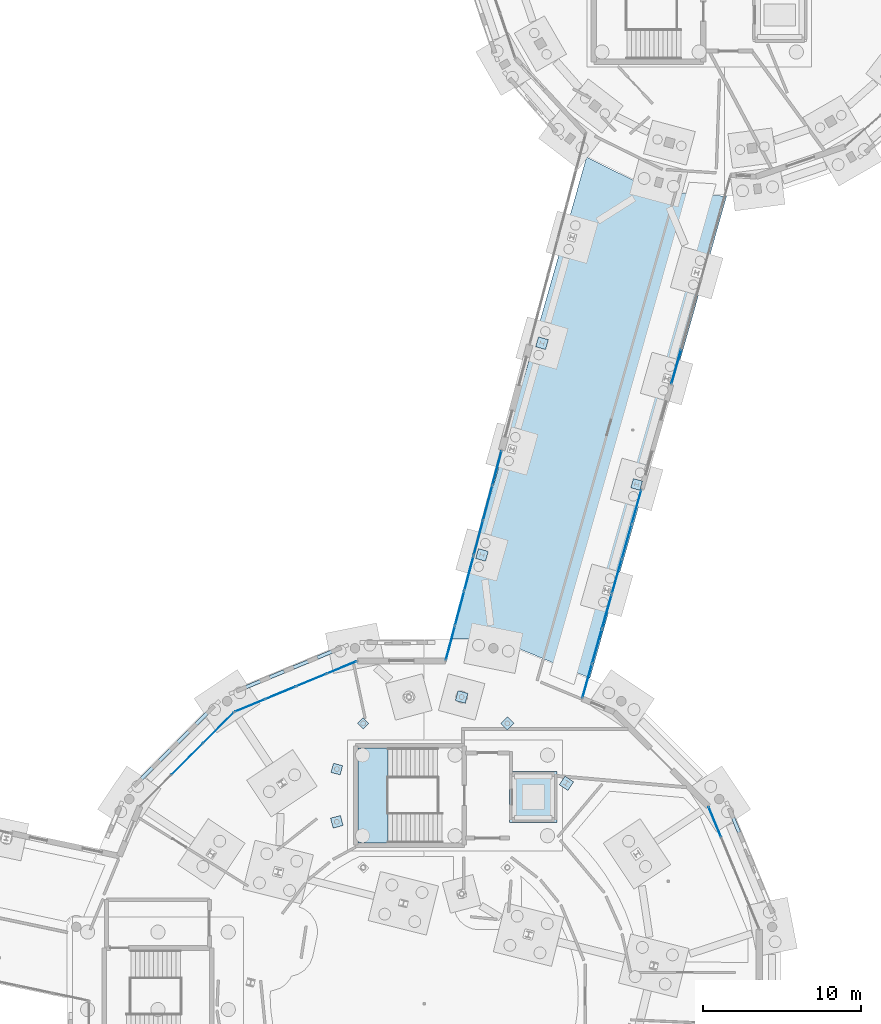
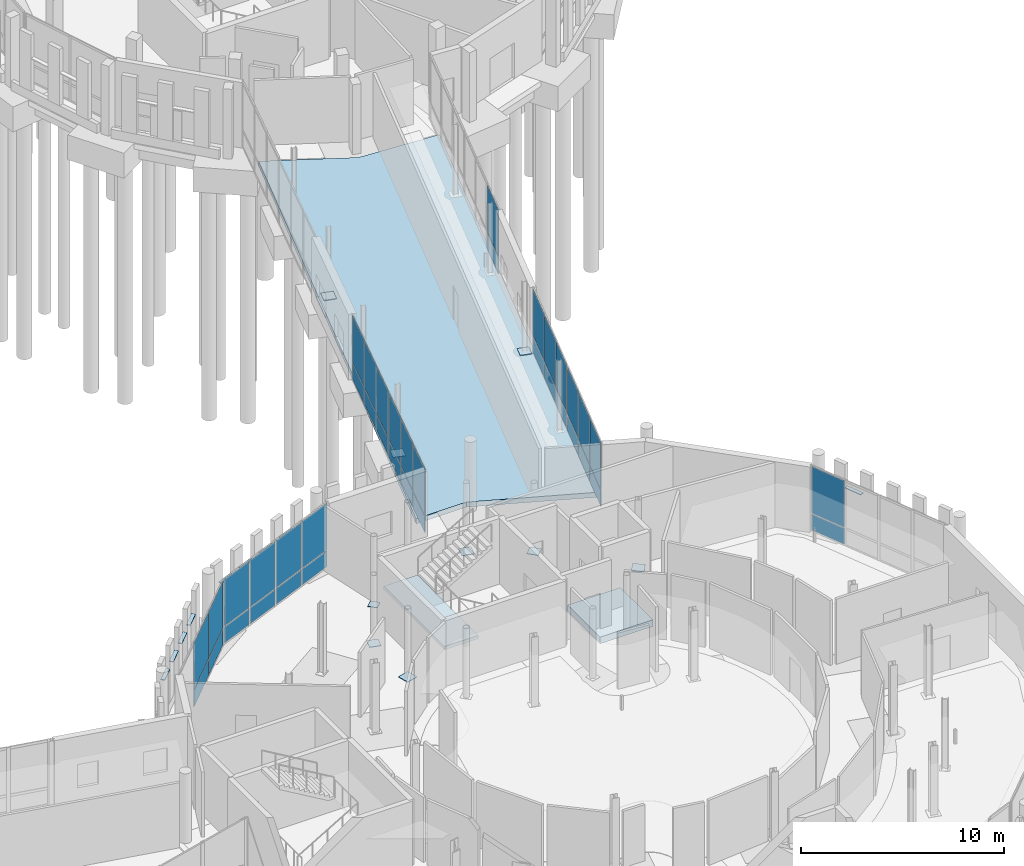
# One storey, part 72 of 113: 58 plates, 3 slabs, 9 elements without a shape of their own.
"""IFC4 building model written with IfcOpenShell, lengths in metres."""

from ifc_helpers import new_model, si_unit, direction, frame, origin, origin_2d, place, context, subcontext, project, spatial, polyline, rectangle, outline, extrude, material, layer, layer_set, type_object, element, aggregate, save


model = new_model("IFC4")

# Units and contexts
model_context = context("Model", 3, precision=1e-05, world=origin(), true_north=direction((0.0, 1.0)))
body_context = subcontext(model_context, "Body", "Model", "MODEL_VIEW")
ifc_project = project(units=[si_unit("LENGTHUNIT", "METRE"), si_unit("AREAUNIT", "SQUARE_METRE"), si_unit("VOLUMEUNIT", "CUBIC_METRE"), si_unit("PLANEANGLEUNIT", "RADIAN"), si_unit("MASSUNIT", "GRAM", prefix="KILO")], contexts=[model_context])

# Site, building, storey
site_placement = place(None, origin())
site = spatial("IfcSite", under=ifc_project, at=site_placement, CompositionType="ELEMENT")
building_placement = place(site_placement, origin())
building = spatial("IfcBuilding", under=site, at=building_placement, Name="Wrenclough Park School", CompositionType="ELEMENT")
storey_placement = place(building_placement, origin())
storey = spatial("IfcBuildingStorey", under=building, at=storey_placement, Name="L00", CompositionType="ELEMENT", Elevation=0.0)

# Curtain wall, plates
ifc_material_1 = material(Name="Thermally broken aluminium and low-e glass curtain wall", Category="aluminium")
curtain_wall_type_1 = type_object("IfcCurtainWallType", Name="ENV-CW-13", PredefinedType="USERDEFINED", material=ifc_material_1)
curtain_wall_1_placement = place(storey_placement, origin())
curtain_wall_1 = element("IfcCurtainWall", 1, at=curtain_wall_1_placement, inside=storey, type_object=curtain_wall_type_1, Name="L00 recessed curtain wall assembly 028", ObjectType="CURTAIN WALL", PredefinedType="USERDEFINED")
ifc_material_2 = material(Name="Double-glazed solar-control low-e glass", Category="glass")
ifc_layer_1 = layer(ifc_material_2, 0.02587890625)
ifc_layer_set_1 = layer_set([ifc_layer_1], Name="Double-glazed solar-control low-e glass")
plate_type_1 = type_object("IfcPlateType", Name="ENV-CWP-GL26", PredefinedType="CURTAIN_PANEL", material=ifc_layer_set_1)
plate_1_placement = place(storey_placement, frame((168.934326171875, 57.45263671875, 0.06494140625), z_axis=(0.0, 0.0, 1.0), x_axis=(-0.272808842354, -0.96206825929, 0.0)))
plate_1 = element("IfcPlate", 2, at=plate_1_placement, type_object=plate_type_1, Name="CW-13 panel 1.1", PredefinedType="CURTAIN_PANEL", context=body_context, shape_type="SweptSolid", body=[
    extrude(rectangle(XDim=2.1962890625, YDim=0.02587890625, at=origin_2d()), origin(), (0.0, 0.0, 1.0), 0.952392578125),
])
plate_2_placement = place(storey_placement, frame((168.934326171875, 57.45263671875, 1.08251953125), z_axis=(0.0, 0.0, 1.0), x_axis=(-0.272808842354, -0.96206825929, 0.0)))
plate_2 = element("IfcPlate", 3, at=plate_2_placement, type_object=plate_type_1, Name="CW-13 panel 1.2", PredefinedType="CURTAIN_PANEL", context=body_context, shape_type="SweptSolid", body=[
    extrude(rectangle(XDim=2.1962890625, YDim=0.02587890625, at=origin_2d()), origin(), (0.0, 0.0, 1.0), 2.79248046875),
])
plate_3_placement = place(storey_placement, frame((168.31298828125, 55.26171875, 0.06494140625), z_axis=(0.0, 0.0, 1.0), x_axis=(-0.272808842354, -0.96206825929, 0.0)))
plate_3 = element("IfcPlate", 4, at=plate_3_placement, type_object=plate_type_1, Name="CW-13 panel 2.1", PredefinedType="CURTAIN_PANEL", context=body_context, shape_type="SweptSolid", body=[
    extrude(rectangle(XDim=2.228759765625, YDim=0.02587890625, at=origin_2d()), origin(), (0.0, 0.0, 1.0), 0.952392578125),
])
plate_4_placement = place(storey_placement, frame((168.31298828125, 55.26171875, 1.08251953125), z_axis=(0.0, 0.0, 1.0), x_axis=(-0.272808842354, -0.96206825929, 0.0)))
plate_4 = element("IfcPlate", 5, at=plate_4_placement, type_object=plate_type_1, Name="CW-13 panel 2.2", PredefinedType="CURTAIN_PANEL", context=body_context, shape_type="SweptSolid", body=[
    extrude(rectangle(XDim=2.228759765625, YDim=0.02587890625, at=origin_2d()), origin(), (0.0, 0.0, 1.0), 2.79248046875),
])
plate_5_placement = place(storey_placement, frame((167.691650390625, 53.070556640625, 0.06494140625), z_axis=(0.0, 0.0, 1.0), x_axis=(-0.272808842354, -0.96206825929, 0.0)))
plate_5 = element("IfcPlate", 6, at=plate_5_placement, type_object=plate_type_1, Name="CW-13 panel 3.1", PredefinedType="CURTAIN_PANEL", context=body_context, shape_type="SweptSolid", body=[
    extrude(rectangle(XDim=2.1962890625, YDim=0.02587890625, at=origin_2d()), origin(), (0.0, 0.0, 1.0), 0.952392578125),
])
plate_6_placement = place(storey_placement, frame((167.691650390625, 53.070556640625, 1.08251953125), z_axis=(0.0, 0.0, 1.0), x_axis=(-0.272808842354, -0.96206825929, 0.0)))
plate_6 = element("IfcPlate", 7, at=plate_6_placement, type_object=plate_type_1, Name="CW-13 panel 3.2", PredefinedType="CURTAIN_PANEL", context=body_context, shape_type="SweptSolid", body=[
    extrude(rectangle(XDim=2.1962890625, YDim=0.02587890625, at=origin_2d()), origin(), (0.0, 0.0, 1.0), 2.79248046875),
])
aggregate(curtain_wall_1, [plate_1, plate_2, plate_3, plate_4, plate_5, plate_6])

curtain_wall_2_placement = place(storey_placement, origin())
curtain_wall_2 = element("IfcCurtainWall", 8, at=curtain_wall_2_placement, inside=storey, type_object=curtain_wall_type_1, Name="L00 recessed curtain wall assembly 060", ObjectType="CURTAIN WALL", PredefinedType="USERDEFINED")
plate_7_placement = place(storey_placement, frame((158.931640625, 55.5107421875, 0.06005859375), z_axis=(0.0, 0.0, 1.0), x_axis=(0.256899612745, 0.966438093709, 0.0)))
plate_7 = element("IfcPlate", 9, at=plate_7_placement, type_object=plate_type_1, Name="CW-13 panel 1.1", PredefinedType="CURTAIN_PANEL", context=body_context, shape_type="SweptSolid", body=[
    extrude(rectangle(XDim=2.207763671875, YDim=0.02587890625, at=origin_2d()), origin(), (0.0, 0.0, 1.0), 0.9599609375),
])
plate_8_placement = place(storey_placement, frame((158.931640625, 55.5107421875, 1.080078125), z_axis=(0.0, 0.0, 1.0), x_axis=(0.256899612745, 0.966438093709, 0.0)))
plate_8 = element("IfcPlate", 10, at=plate_8_placement, type_object=plate_type_1, Name="CW-13 panel 1.2", PredefinedType="CURTAIN_PANEL", context=body_context, shape_type="SweptSolid", body=[
    extrude(rectangle(XDim=2.207763671875, YDim=0.02587890625, at=origin_2d()), origin(), (0.0, 0.0, 1.0), 2.800048828125),
])
plate_9_placement = place(storey_placement, frame((159.51806640625, 57.716796875, 0.06005859375), z_axis=(0.0, 0.0, 1.0), x_axis=(0.256899612745, 0.966438093709, 0.0)))
plate_9 = element("IfcPlate", 11, at=plate_9_placement, type_object=plate_type_1, Name="CW-13 panel 2.1", PredefinedType="CURTAIN_PANEL", context=body_context, shape_type="SweptSolid", body=[
    extrude(rectangle(XDim=2.23779296875, YDim=0.02587890625, at=origin_2d()), origin(), (0.0, 0.0, 1.0), 0.9599609375),
])
plate_10_placement = place(storey_placement, frame((159.51806640625, 57.716796875, 1.080078125), z_axis=(0.0, 0.0, 1.0), x_axis=(0.256899612745, 0.966438093709, 0.0)))
plate_10 = element("IfcPlate", 12, at=plate_10_placement, type_object=plate_type_1, Name="CW-13 panel 2.2", PredefinedType="CURTAIN_PANEL", context=body_context, shape_type="SweptSolid", body=[
    extrude(rectangle(XDim=2.23779296875, YDim=0.02587890625, at=origin_2d()), origin(), (0.0, 0.0, 1.0), 2.800048828125),
])
plate_11_placement = place(storey_placement, frame((160.1044921875, 59.923095703125, 0.06005859375), z_axis=(0.0, 0.0, 1.0), x_axis=(0.256899612745, 0.966438093709, 0.0)))
plate_11 = element("IfcPlate", 13, at=plate_11_placement, type_object=plate_type_1, Name="CW-13 panel 3.1", PredefinedType="CURTAIN_PANEL", context=body_context, shape_type="SweptSolid", body=[
    extrude(rectangle(XDim=2.207763671875, YDim=0.02587890625, at=origin_2d()), origin(), (0.0, 0.0, 1.0), 0.9599609375),
])
plate_12_placement = place(storey_placement, frame((160.1044921875, 59.923095703125, 1.080078125), z_axis=(0.0, 0.0, 1.0), x_axis=(0.256899612745, 0.966438093709, 0.0)))
plate_12 = element("IfcPlate", 14, at=plate_12_placement, type_object=plate_type_1, Name="CW-13 panel 3.2", PredefinedType="CURTAIN_PANEL", context=body_context, shape_type="SweptSolid", body=[
    extrude(rectangle(XDim=2.207763671875, YDim=0.02587890625, at=origin_2d()), origin(), (0.0, 0.0, 1.0), 2.800048828125),
])
aggregate(curtain_wall_2, [plate_7, plate_8, plate_9, plate_10, plate_11, plate_12])

curtain_wall_type_2 = type_object("IfcCurtainWallType", Name="ENV-CW-10", PredefinedType="USERDEFINED", material=ifc_material_1)
curtain_wall_3_placement = place(storey_placement, origin())
curtain_wall_3 = element("IfcCurtainWall", 15, at=curtain_wall_3_placement, inside=storey, type_object=curtain_wall_type_2, Name="L00 recessed curtain wall assembly 057", ObjectType="CURTAIN WALL", PredefinedType="USERDEFINED")
ifc_material_3 = material(Name="Double-glazed acoustic low-e glass", Category="glass")
ifc_layer_2 = layer(ifc_material_3, 0.030029296875)
ifc_layer_set_2 = layer_set([ifc_layer_2], Name="Double-glazed acoustic low-e glass")
plate_type_2 = type_object("IfcPlateType", Name="ENV-CWP-GL30", PredefinedType="CURTAIN_PANEL", material=ifc_layer_set_2)
plate_13_placement = place(storey_placement, frame((140.500732421875, 41.499267578125, 0.06005859375), z_axis=(0.0, 0.0, 1.0), x_axis=(0.707106781187, 0.707106781187, 0.0)))
plate_13 = element("IfcPlate", 16, at=plate_13_placement, type_object=plate_type_2, Name="CW-10 panel 2.1", PredefinedType="CURTAIN_PANEL", context=body_context, shape_type="SweptSolid", body=[
    extrude(rectangle(XDim=2.750244140625, YDim=0.030029296875, at=origin_2d()), origin(), (0.0, 0.0, 1.0), 0.9599609375),
])
plate_14_placement = place(storey_placement, frame((140.500732421875, 41.499267578125, 1.080078125), z_axis=(0.0, 0.0, 1.0), x_axis=(0.707106781187, 0.707106781187, 0.0)))
plate_14 = element("IfcPlate", 17, at=plate_14_placement, type_object=plate_type_2, Name="CW-10 panel 2.2", PredefinedType="CURTAIN_PANEL", context=body_context, shape_type="SweptSolid", body=[
    extrude(rectangle(XDim=2.750244140625, YDim=0.030029296875, at=origin_2d()), origin(), (0.0, 0.0, 1.0), 2.800048828125),
])
plate_15_placement = place(storey_placement, frame((142.477294921875, 43.475830078125, 0.06005859375), z_axis=(0.0, 0.0, 1.0), x_axis=(0.707106781187, 0.707106781187, 0.0)))
plate_15 = element("IfcPlate", 18, at=plate_15_placement, type_object=plate_type_2, Name="CW-10 panel 3.1", PredefinedType="CURTAIN_PANEL", context=body_context, shape_type="SweptSolid", body=[
    extrude(rectangle(XDim=2.72021484375, YDim=0.030029296875, at=origin_2d()), origin(), (0.0, 0.0, 1.0), 0.9599609375),
])
plate_16_placement = place(storey_placement, frame((142.477294921875, 43.475830078125, 1.080078125), z_axis=(0.0, 0.0, 1.0), x_axis=(0.707106781187, 0.707106781187, 0.0)))
plate_16 = element("IfcPlate", 19, at=plate_16_placement, type_object=plate_type_2, Name="CW-10 panel 3.2", PredefinedType="CURTAIN_PANEL", context=body_context, shape_type="SweptSolid", body=[
    extrude(rectangle(XDim=2.72021484375, YDim=0.030029296875, at=origin_2d()), origin(), (0.0, 0.0, 1.0), 2.800048828125),
])
aggregate(curtain_wall_3, [plate_13, plate_14, plate_15, plate_16])

curtain_wall_type_3 = type_object("IfcCurtainWallType", Name="ENV-CW-11", PredefinedType="USERDEFINED", material=ifc_material_1)
curtain_wall_4_placement = place(storey_placement, origin())
curtain_wall_4 = element("IfcCurtainWall", 20, at=curtain_wall_4_placement, inside=storey, type_object=curtain_wall_type_3, Name="L00 recessed curtain wall assembly 058", ObjectType="CURTAIN WALL", PredefinedType="USERDEFINED")
ifc_material_4 = material(Name="Triple-glazed senior-lab low-e glass", Category="glass")
ifc_layer_3 = layer(ifc_material_4, 0.033935546875)
ifc_layer_set_3 = layer_set([ifc_layer_3], Name="Triple-glazed senior-lab low-e glass")
plate_type_3 = type_object("IfcPlateType", Name="ENV-CWP-GL34", PredefinedType="CURTAIN_PANEL", material=ifc_layer_set_3)
plate_17_placement = place(storey_placement, frame((144.476806640625, 44.893798828125, 0.06494140625), z_axis=(0.0, 0.0, 1.0), x_axis=(0.923878191205, 0.382686670549, 0.0)))
plate_17 = element("IfcPlate", 21, at=plate_17_placement, type_object=plate_type_3, Name="CW-11 panel 1.1", PredefinedType="CURTAIN_PANEL", context=body_context, shape_type="SweptSolid", body=[
    extrude(rectangle(XDim=2.01025390625, YDim=0.033935546875, at=origin_2d()), origin(), (0.0, 0.0, 1.0), 0.952392578125),
])
plate_18_placement = place(storey_placement, frame((144.476806640625, 44.893798828125, 1.08251953125), z_axis=(0.0, 0.0, 1.0), x_axis=(0.923878191205, 0.382686670549, 0.0)))
plate_18 = element("IfcPlate", 22, at=plate_18_placement, type_object=plate_type_3, Name="CW-11 panel 1.2", PredefinedType="CURTAIN_PANEL", context=body_context, shape_type="SweptSolid", body=[
    extrude(rectangle(XDim=2.01025390625, YDim=0.033935546875, at=origin_2d()), origin(), (0.0, 0.0, 1.0), 2.79248046875),
])
plate_19_placement = place(storey_placement, frame((146.408935546875, 45.694091796875, 0.06494140625), z_axis=(0.0, 0.0, 1.0), x_axis=(0.923878191205, 0.382686670549, 0.0)))
plate_19 = element("IfcPlate", 23, at=plate_19_placement, type_object=plate_type_3, Name="CW-11 panel 2.1", PredefinedType="CURTAIN_PANEL", context=body_context, shape_type="SweptSolid", body=[
    extrude(rectangle(XDim=2.042724609375, YDim=0.033935546875, at=origin_2d()), origin(), (0.0, 0.0, 1.0), 0.952392578125),
])
plate_20_placement = place(storey_placement, frame((146.408935546875, 45.694091796875, 1.08251953125), z_axis=(0.0, 0.0, 1.0), x_axis=(0.923878191205, 0.382686670549, 0.0)))
plate_20 = element("IfcPlate", 24, at=plate_20_placement, type_object=plate_type_3, Name="CW-11 panel 2.2", PredefinedType="CURTAIN_PANEL", context=body_context, shape_type="SweptSolid", body=[
    extrude(rectangle(XDim=2.042724609375, YDim=0.033935546875, at=origin_2d()), origin(), (0.0, 0.0, 1.0), 2.79248046875),
])
plate_21_placement = place(storey_placement, frame((148.356201171875, 46.500732421875, 0.06494140625), z_axis=(0.0, 0.0, 1.0), x_axis=(0.923878191205, 0.382686670549, 0.0)))
plate_21 = element("IfcPlate", 25, at=plate_21_placement, type_object=plate_type_3, Name="CW-11 panel 3.1", PredefinedType="CURTAIN_PANEL", context=body_context, shape_type="SweptSolid", body=[
    extrude(rectangle(XDim=2.042724609375, YDim=0.033935546875, at=origin_2d()), origin(), (0.0, 0.0, 1.0), 0.952392578125),
])
plate_22_placement = place(storey_placement, frame((148.356201171875, 46.500732421875, 1.08251953125), z_axis=(0.0, 0.0, 1.0), x_axis=(0.923878191205, 0.382686670549, 0.0)))
plate_22 = element("IfcPlate", 26, at=plate_22_placement, type_object=plate_type_3, Name="CW-11 panel 3.2", PredefinedType="CURTAIN_PANEL", context=body_context, shape_type="SweptSolid", body=[
    extrude(rectangle(XDim=2.042724609375, YDim=0.033935546875, at=origin_2d()), origin(), (0.0, 0.0, 1.0), 2.79248046875),
])
plate_23_placement = place(storey_placement, frame((150.288330078125, 47.301025390625, 0.06494140625), z_axis=(0.0, 0.0, 1.0), x_axis=(0.923878191205, 0.382686670549, 0.0)))
plate_23 = element("IfcPlate", 27, at=plate_23_placement, type_object=plate_type_3, Name="CW-11 panel 4.1", PredefinedType="CURTAIN_PANEL", context=body_context, shape_type="SweptSolid", body=[
    extrude(rectangle(XDim=2.01025390625, YDim=0.033935546875, at=origin_2d()), origin(), (0.0, 0.0, 1.0), 0.952392578125),
])
plate_24_placement = place(storey_placement, frame((150.288330078125, 47.301025390625, 1.08251953125), z_axis=(0.0, 0.0, 1.0), x_axis=(0.923878191205, 0.382686670549, 0.0)))
plate_24 = element("IfcPlate", 28, at=plate_24_placement, type_object=plate_type_3, Name="CW-11 panel 4.2", PredefinedType="CURTAIN_PANEL", context=body_context, shape_type="SweptSolid", body=[
    extrude(rectangle(XDim=2.01025390625, YDim=0.033935546875, at=origin_2d()), origin(), (0.0, 0.0, 1.0), 2.79248046875),
])
aggregate(curtain_wall_4, [plate_17, plate_18, plate_19, plate_20, plate_21, plate_22, plate_23, plate_24])

curtain_wall_type_4 = type_object("IfcCurtainWallType", Name="ENV-CW-12", PredefinedType="USERDEFINED", material=ifc_material_1)
curtain_wall_5_placement = place(storey_placement, origin())
curtain_wall_5 = element("IfcCurtainWall", 29, at=curtain_wall_5_placement, inside=storey, type_object=curtain_wall_type_4, Name="L00 recessed curtain wall assembly 027", ObjectType="CURTAIN WALL", PredefinedType="USERDEFINED")
ifc_material_5 = material(Name="Laminated sports-concourse safety glass", Category="glass")
ifc_layer_4 = layer(ifc_material_5, 0.0380859375)
ifc_layer_set_4 = layer_set([ifc_layer_4], Name="Laminated sports-concourse safety glass")
plate_type_4 = type_object("IfcPlateType", Name="ENV-CWP-GL38", PredefinedType="CURTAIN_PANEL", material=ifc_layer_set_4)
plate_25_placement = place(storey_placement, frame((171.4501953125, 66.324462890625, 0.06005859375), z_axis=(0.0, 0.0, 1.0), x_axis=(-0.272808842354, -0.96206825929, 0.0)))
plate_25 = element("IfcPlate", 30, at=plate_25_placement, type_object=plate_type_4, Name="CW-12 panel 3.1", PredefinedType="CURTAIN_PANEL", context=body_context, shape_type="SweptSolid", body=[
    extrude(rectangle(XDim=2.20361328125, YDim=0.0380859375, at=origin_2d()), origin(), (0.0, 0.0, 1.0), 0.9599609375),
])
plate_26_placement = place(storey_placement, frame((171.4501953125, 66.324462890625, 1.080078125), z_axis=(0.0, 0.0, 1.0), x_axis=(-0.272808842354, -0.96206825929, 0.0)))
plate_26 = element("IfcPlate", 31, at=plate_26_placement, type_object=plate_type_4, Name="CW-12 panel 3.2", PredefinedType="CURTAIN_PANEL", context=body_context, shape_type="SweptSolid", body=[
    extrude(rectangle(XDim=2.20361328125, YDim=0.0380859375, at=origin_2d()), origin(), (0.0, 0.0, 1.0), 2.800048828125),
])
aggregate(curtain_wall_5, [plate_25, plate_26])

curtain_wall_6_placement = place(storey_placement, origin())
curtain_wall_6 = element("IfcCurtainWall", 32, at=curtain_wall_6_placement, inside=storey, type_object=curtain_wall_type_4, Name="L00 recessed curtain wall assembly 059", ObjectType="CURTAIN WALL", PredefinedType="USERDEFINED")
plate_27_placement = place(storey_placement, frame((157.159423828125, 48.84326171875, 0.06982421875), z_axis=(0.0, 0.0, 1.0), x_axis=(0.256896011105, 0.966439051093, 0.0)))
plate_27 = element("IfcPlate", 33, at=plate_27_placement, type_object=plate_type_4, Name="CW-12 panel 1.1", PredefinedType="CURTAIN_PANEL", context=body_context, shape_type="SweptSolid", body=[
    extrude(rectangle(XDim=2.19287109375, YDim=0.0380859375, at=origin_2d()), origin(), (0.0, 0.0, 1.0), 0.945068359375),
])
plate_28_placement = place(storey_placement, frame((157.159423828125, 48.84326171875, 1.0849609375), z_axis=(0.0, 0.0, 1.0), x_axis=(0.256896011105, 0.966439051093, 0.0)))
plate_28 = element("IfcPlate", 34, at=plate_28_placement, type_object=plate_type_4, Name="CW-12 panel 1.2", PredefinedType="CURTAIN_PANEL", context=body_context, shape_type="SweptSolid", body=[
    extrude(rectangle(XDim=2.19287109375, YDim=0.0380859375, at=origin_2d()), origin(), (0.0, 0.0, 1.0), 2.784912109375),
])
plate_29_placement = place(storey_placement, frame((157.7451171875, 51.047119140625, 0.06982421875), z_axis=(0.0, 0.0, 1.0), x_axis=(0.256896011105, 0.966439051093, 0.0)))
plate_29 = element("IfcPlate", 35, at=plate_29_placement, type_object=plate_type_4, Name="CW-12 panel 2.1", PredefinedType="CURTAIN_PANEL", context=body_context, shape_type="SweptSolid", body=[
    extrude(rectangle(XDim=2.227783203125, YDim=0.0380859375, at=origin_2d()), origin(), (0.0, 0.0, 1.0), 0.945068359375),
])
plate_30_placement = place(storey_placement, frame((157.7451171875, 51.047119140625, 1.0849609375), z_axis=(0.0, 0.0, 1.0), x_axis=(0.256896011105, 0.966439051093, 0.0)))
plate_30 = element("IfcPlate", 36, at=plate_30_placement, type_object=plate_type_4, Name="CW-12 panel 2.2", PredefinedType="CURTAIN_PANEL", context=body_context, shape_type="SweptSolid", body=[
    extrude(rectangle(XDim=2.227783203125, YDim=0.0380859375, at=origin_2d()), origin(), (0.0, 0.0, 1.0), 2.784912109375),
])
plate_31_placement = place(storey_placement, frame((158.3310546875, 53.250732421875, 0.06982421875), z_axis=(0.0, 0.0, 1.0), x_axis=(0.256896011105, 0.966439051093, 0.0)))
plate_31 = element("IfcPlate", 37, at=plate_31_placement, type_object=plate_type_4, Name="CW-12 panel 3.1", PredefinedType="CURTAIN_PANEL", context=body_context, shape_type="SweptSolid", body=[
    extrude(rectangle(XDim=2.19287109375, YDim=0.0380859375, at=origin_2d()), origin(), (0.0, 0.0, 1.0), 0.945068359375),
])
plate_32_placement = place(storey_placement, frame((158.3310546875, 53.250732421875, 1.0849609375), z_axis=(0.0, 0.0, 1.0), x_axis=(0.256896011105, 0.966439051093, 0.0)))
plate_32 = element("IfcPlate", 38, at=plate_32_placement, type_object=plate_type_4, Name="CW-12 panel 3.2", PredefinedType="CURTAIN_PANEL", context=body_context, shape_type="SweptSolid", body=[
    extrude(rectangle(XDim=2.19287109375, YDim=0.0380859375, at=origin_2d()), origin(), (0.0, 0.0, 1.0), 2.784912109375),
])
aggregate(curtain_wall_6, [plate_27, plate_28, plate_29, plate_30, plate_31, plate_32])

curtain_wall_type_5 = type_object("IfcCurtainWallType", Name="ENV-CW-14", PredefinedType="USERDEFINED", material=ifc_material_1)
curtain_wall_7_placement = place(storey_placement, origin())
curtain_wall_7 = element("IfcCurtainWall", 39, at=curtain_wall_7_placement, inside=storey, type_object=curtain_wall_type_5, Name="L00 recessed curtain wall assembly 029", ObjectType="CURTAIN WALL", PredefinedType="USERDEFINED")
ifc_material_6 = material(Name="Insulated anodised aluminium spandrel panel", Category="aluminium")
ifc_layer_5 = layer(ifc_material_6, 0.0419921875)
ifc_layer_set_5 = layer_set([ifc_layer_5], Name="Insulated anodised aluminium spandrel panel")
plate_type_5 = type_object("IfcPlateType", Name="ENV-CWP-SP42", PredefinedType="CURTAIN_PANEL", material=ifc_layer_set_5)
plate_33_placement = place(storey_placement, frame((167.054443359375, 50.82373046875, 0.06982421875), z_axis=(0.0, 0.0, 1.0), x_axis=(-0.272826107905, -0.962063363218, 0.0)))
plate_33 = element("IfcPlate", 40, at=plate_33_placement, type_object=plate_type_5, Name="CW-14 panel 1.1", PredefinedType="CURTAIN_PANEL", context=body_context, shape_type="SweptSolid", body=[
    extrude(rectangle(XDim=2.188720703125, YDim=0.0419921875, at=origin_2d()), origin(), (0.0, 0.0, 1.0), 0.945068359375),
])
plate_34_placement = place(storey_placement, frame((167.054443359375, 50.82373046875, 1.0849609375), z_axis=(0.0, 0.0, 1.0), x_axis=(-0.272826107905, -0.962063363218, 0.0)))
plate_34 = element("IfcPlate", 41, at=plate_34_placement, type_object=plate_type_5, Name="CW-14 panel 1.2", PredefinedType="CURTAIN_PANEL", context=body_context, shape_type="SweptSolid", body=[
    extrude(rectangle(XDim=2.188720703125, YDim=0.0419921875, at=origin_2d()), origin(), (0.0, 0.0, 1.0), 2.784912109375),
])
plate_35_placement = place(storey_placement, frame((166.43359375, 48.634033203125, 0.06982421875), z_axis=(0.0, 0.0, 1.0), x_axis=(-0.272826107905, -0.962063363218, 0.0)))
plate_35 = element("IfcPlate", 42, at=plate_35_placement, type_object=plate_type_5, Name="CW-14 panel 2.1", PredefinedType="CURTAIN_PANEL", context=body_context, shape_type="SweptSolid", body=[
    extrude(rectangle(XDim=2.2236328125, YDim=0.0419921875, at=origin_2d()), origin(), (0.0, 0.0, 1.0), 0.945068359375),
])
plate_36_placement = place(storey_placement, frame((166.43359375, 48.634033203125, 1.0849609375), z_axis=(0.0, 0.0, 1.0), x_axis=(-0.272826107905, -0.962063363218, 0.0)))
plate_36 = element("IfcPlate", 43, at=plate_36_placement, type_object=plate_type_5, Name="CW-14 panel 2.2", PredefinedType="CURTAIN_PANEL", context=body_context, shape_type="SweptSolid", body=[
    extrude(rectangle(XDim=2.2236328125, YDim=0.0419921875, at=origin_2d()), origin(), (0.0, 0.0, 1.0), 2.784912109375),
])
plate_37_placement = place(storey_placement, frame((165.8125, 46.4443359375, 0.06982421875), z_axis=(0.0, 0.0, 1.0), x_axis=(-0.272826107905, -0.962063363218, 0.0)))
plate_37 = element("IfcPlate", 44, at=plate_37_placement, type_object=plate_type_5, Name="CW-14 panel 3.1", PredefinedType="CURTAIN_PANEL", context=body_context, shape_type="SweptSolid", body=[
    extrude(rectangle(XDim=2.188720703125, YDim=0.0419921875, at=origin_2d()), origin(), (0.0, 0.0, 1.0), 0.945068359375),
])
plate_38_placement = place(storey_placement, frame((165.8125, 46.4443359375, 1.0849609375), z_axis=(0.0, 0.0, 1.0), x_axis=(-0.272826107905, -0.962063363218, 0.0)))
plate_38 = element("IfcPlate", 45, at=plate_38_placement, type_object=plate_type_5, Name="CW-14 panel 3.2", PredefinedType="CURTAIN_PANEL", context=body_context, shape_type="SweptSolid", body=[
    extrude(rectangle(XDim=2.188720703125, YDim=0.0419921875, at=origin_2d()), origin(), (0.0, 0.0, 1.0), 2.784912109375),
])
aggregate(curtain_wall_7, [plate_33, plate_34, plate_35, plate_36, plate_37, plate_38])

curtain_wall_type_6 = type_object("IfcCurtainWallType", Name="ENV-CW-15", PredefinedType="USERDEFINED", material=ifc_material_1)
curtain_wall_8_placement = place(storey_placement, origin())
curtain_wall_8 = element("IfcCurtainWall", 46, at=curtain_wall_8_placement, inside=storey, type_object=curtain_wall_type_6, Name="L00 recessed curtain wall assembly 030", ObjectType="CURTAIN WALL", PredefinedType="USERDEFINED")
ifc_material_7 = material(Name="Insulated patinated copper-toned spandrel panel", Category="aluminium")
ifc_layer_6 = layer(ifc_material_7, 0.048095703125)
ifc_layer_set_6 = layer_set([ifc_layer_6], Name="Insulated patinated copper-toned spandrel panel")
plate_type_6 = type_object("IfcPlateType", Name="ENV-CWP-SP48", PredefinedType="CURTAIN_PANEL", material=ifc_layer_set_6)
plate_39_placement = place(storey_placement, frame((173.893310546875, 37.5244140625, 0.06005859375), z_axis=(0.0, 0.0, 1.0), x_axis=(0.382686670549, -0.923878191205, 0.0)))
plate_39 = element("IfcPlate", 47, at=plate_39_placement, type_object=plate_type_6, Name="CW-15 panel 1.1", PredefinedType="CURTAIN_PANEL", context=body_context, shape_type="SweptSolid", body=[
    extrude(rectangle(XDim=2.017578125, YDim=0.048095703125, at=origin_2d()), origin(), (0.0, 0.0, 1.0), 0.9599609375),
])
plate_40_placement = place(storey_placement, frame((173.893310546875, 37.5244140625, 1.080078125), z_axis=(0.0, 0.0, 1.0), x_axis=(0.382686670549, -0.923878191205, 0.0)))
plate_40 = element("IfcPlate", 48, at=plate_40_placement, type_object=plate_type_6, Name="CW-15 panel 1.2", PredefinedType="CURTAIN_PANEL", context=body_context, shape_type="SweptSolid", body=[
    extrude(rectangle(XDim=2.017578125, YDim=0.048095703125, at=origin_2d()), origin(), (0.0, 0.0, 1.0), 2.800048828125),
])
aggregate(curtain_wall_8, [plate_39, plate_40])

# Plates
ifc_material_8 = material(Name="Anodised architectural aluminium solar shading fin plate", Category="aluminium")
ifc_layer_7 = layer(ifc_material_8, 0.0380859375)
ifc_layer_set_7 = layer_set([ifc_layer_7], Name="Anodised architectural aluminium solar shading fin plate")
plate_type_7 = type_object("IfcPlateType", Name="ENV-PL-BSF", PredefinedType="SHEET", material=ifc_layer_set_7)
plate_41_placement = place(storey_placement, frame((175.2412109375, 37.317138671875, 2.4951171875), z_axis=(0.0, 0.0, 1.0), x_axis=(-0.382692183809, 0.923875907496, 0.0)))
element("IfcPlate", 49, at=plate_41_placement, inside=storey, type_object=plate_type_7, Name="D1 L00 open-bond brick screen tie band 0004", PredefinedType="SHEET", context=body_context, shape_type="SweptSolid", body=[
    extrude(rectangle(XDim=0.992919921875, YDim=0.219970703125, at=origin_2d()), origin(), (0.0, 0.0, 1.0), 0.0419921875),
])
plate_42_placement = place(storey_placement, frame((149.189208984375, 48.10791015625, 2.4951171875), z_axis=(0.0, 0.0, 1.0), x_axis=(-0.923876962826, -0.382689636076, 0.0)))
element("IfcPlate", 50, at=plate_42_placement, inside=storey, type_object=plate_type_7, Name="D1 L00 open-bond brick screen tie band 0007", PredefinedType="SHEET", context=body_context, shape_type="SweptSolid", body=[
    extrude(rectangle(XDim=0.9931640625, YDim=0.219970703125, at=origin_2d()), origin(), (0.0, 0.0, 1.0), 0.0419921875),
])
for number, where, z_axis, x_axis, name in (
    (51, (147.68701171875, 47.485595703125, 2.4951171875), (0.0, 0.0, 1.0), (-0.923876962826, -0.382689636076, 0.0), "D1 L00 open-bond brick screen tie band 0008"),
    (52, (146.184814453125, 46.863525390625, 2.4951171875), (0.0, 0.0, 1.0), (-0.923876962826, -0.382689636076, 0.0), "D1 L00 open-bond brick screen tie band 0009"),
):
    element("IfcPlate", number, at=place(storey_placement, frame(where, z_axis=z_axis, x_axis=x_axis)), inside=storey, type_object=plate_type_7, Name=name, PredefinedType="SHEET", context=body_context, shape_type="SweptSolid", body=[
        extrude(rectangle(XDim=0.992919921875, YDim=0.219970703125, at=origin_2d()), origin(), (0.0, 0.0, 1.0), 0.0419921875),
    ])
plate_43_placement = place(storey_placement, frame((144.6826171875, 46.2412109375, 2.4951171875), z_axis=(0.0, 0.0, 1.0), x_axis=(-0.923876962826, -0.382689636076, 0.0)))
element("IfcPlate", 53, at=plate_43_placement, inside=storey, type_object=plate_type_7, Name="D1 L00 open-bond brick screen tie band 0010", PredefinedType="SHEET", context=body_context, shape_type="SweptSolid", body=[
    extrude(rectangle(XDim=0.9931640625, YDim=0.219970703125, at=origin_2d()), origin(), (0.0, 0.0, 1.0), 0.0419921875),
])
for number, where, z_axis, x_axis, name in (
    (54, (141.400390625, 44.0478515625, 2.4951171875), (0.0, 0.0, 1.0), (-0.707106781187, -0.707106781187, 0.0), "D1 L00 open-bond brick screen tie band 0011"),
    (55, (140.2509765625, 42.898193359375, 2.4951171875), (0.0, 0.0, 1.0), (-0.707106781187, -0.707106781187, 0.0), "D1 L00 open-bond brick screen tie band 0012"),
    (56, (139.101318359375, 41.74853515625, 2.4951171875), (0.0, 0.0, 1.0), (-0.707106781187, -0.707106781187, 0.0), "D1 L00 open-bond brick screen tie band 0013"),
    (57, (137.95166015625, 40.59912109375, 2.4951171875), (0.0, 0.0, 1.0), (-0.707106781187, -0.707106781187, 0.0), "D1 L00 open-bond brick screen tie band 0014"),
):
    element("IfcPlate", number, at=place(storey_placement, frame(where, z_axis=z_axis, x_axis=x_axis)), inside=storey, type_object=plate_type_7, Name=name, PredefinedType="SHEET", context=body_context, shape_type="SweptSolid", body=[
        extrude(rectangle(XDim=0.99267578125, YDim=0.219970703125, at=origin_2d()), origin(), (0.0, 0.0, 1.0), 0.0419921875),
    ])

# Stair, slab
ifc_material_9 = material(Name="Precast concrete C40/50", Category="concrete")
stair_type = type_object("IfcStairType", Name="INT-ST-190-42", PredefinedType="HALF_TURN_STAIR", material=ifc_material_9)
stair_placement = place(storey_placement, origin())
stair = element("IfcStair", 58, at=stair_placement, inside=storey, type_object=stair_type, Name="L00 escape stair ST-01", PredefinedType="HALF_TURN_STAIR")
ifc_layer_8 = layer(ifc_material_9, 0.195068359375)
ifc_layer_set_8 = layer_set([ifc_layer_8], Name="Precast concrete C40/50")
slab_type_1 = type_object("IfcSlabType", Name="INT-SL-LAND195", PredefinedType="LANDING", material=ifc_layer_set_8)
slab_1_placement = place(storey_placement, frame((0.0, 0.0, 1.989013671875)))
slab_1 = element("IfcSlab", 59, at=slab_1_placement, type_object=slab_type_1, Name="ST-01 landing 1", PredefinedType="LANDING", context=body_context, shape_type="SweptSolid", body=[
    extrude(outline(polyline([(151.300048828125, 36.199951171875), (153.222900390625, 36.199951171875), (153.222900390625, 42.199951171875), (151.300048828125, 42.199951171875), (151.300048828125, 36.199951171875)])), origin(), (0.0, 0.0, 1.0), 0.195068359375),
])
aggregate(stair, [slab_1])

# Plates
ifc_material_10 = material(Name="Structural steel S355", Category="steel")
ifc_layer_9 = layer(ifc_material_10, 0.031982421875)
ifc_layer_set_9 = layer_set([ifc_layer_9], Name="Structural steel S355")
plate_type_8 = type_object("IfcPlateType", Name="STR-PL-BP1", PredefinedType="SHEET", material=ifc_layer_set_9)
for number, where, z_axis, x_axis, name in (
    (60, (157.869384765625, 45.43017578125, 0.0), (0.0, 0.0, 1.0), (-0.965925826289, 0.258819045103, 0.0), "Steel column baseplate D1SH-03"),
    (61, (149.9697265625, 37.530517578125, 0.0), (0.0, 0.0, 1.0), (0.258819045103, -0.965925826289, 0.0), "Steel column baseplate D1SH-07"),
    (62, (164.500244140625, 39.9697265625, 0.0), (0.0, 0.0, 1.0), (-0.831469612303, 0.55557023302, 0.0), "Steel column baseplate D1-MID-03"),
    (63, (159.155517578125, 54.418701171875, 0.0), (0.0, 0.0, 1.0), (0.272784025857, 0.962075296033, 0.0), "Steel column baseplate W14-C1-L04"),
    (64, (162.95556640625, 67.818603515625, 0.0), (0.0, 0.0, 1.0), (0.272784025857, 0.962075296033, 0.0), "Steel column baseplate W14-C1-L06"),
):
    element("IfcPlate", number, at=place(storey_placement, frame(where, z_axis=z_axis, x_axis=x_axis)), inside=storey, type_object=plate_type_8, Name=name, PredefinedType="SHEET", context=body_context, shape_type="SweptSolid", body=[
        extrude(rectangle(XDim=0.64990234375, YDim=0.64990234375, at=origin_2d()), origin(), (0.0, 0.0, 1.0), 0.031982421875),
    ])
ifc_layer_10 = layer(ifc_material_10, 0.02587890625)
ifc_layer_set_10 = layer_set([ifc_layer_10], Name="Structural steel S355")
plate_type_9 = type_object("IfcPlateType", Name="STR-PL-BP3", PredefinedType="SHEET", material=ifc_layer_set_10)
plate_44_placement = place(storey_placement, frame((151.63916015625, 43.7607421875, 0.0), z_axis=(0.0, 0.0, 1.0), x_axis=(-0.707106781187, -0.707106781187, 0.0)))
element("IfcPlate", 65, at=plate_44_placement, inside=storey, type_object=plate_type_9, Name="Steel column baseplate D1SH-05", PredefinedType="SHEET", context=body_context, shape_type="SweptSolid", body=[
    extrude(rectangle(XDim=0.5, YDim=0.5, at=origin_2d()), origin(), (0.0, 0.0, 1.0), 0.02587890625),
])
ifc_layer_11 = layer(ifc_material_10, 0.030029296875)
ifc_layer_set_11 = layer_set([ifc_layer_11], Name="Structural steel S355")
plate_type_10 = type_object("IfcPlateType", Name="STR-PL-BP4", PredefinedType="SHEET", material=ifc_layer_set_11)
for number, where, z_axis, x_axis, name in (
    (66, (160.7607421875, 43.7607421875, 0.0), (0.0, 0.0, 1.0), (-0.707106781187, 0.707106781187, 0.0), "Steel column baseplate D1SH-02"),
    (67, (149.9697265625, 40.869384765625, 0.0), (0.0, 0.0, 1.0), (-0.258819045103, -0.965925826289, 0.0), "Steel column baseplate D1SH-06"),
    (68, (168.944580078125, 58.88134765625, 0.0), (0.0, 0.0, 1.0), (0.272784025857, 0.962075296033, 0.0), "Steel column baseplate W14-C1-R05"),
):
    element("IfcPlate", number, at=place(storey_placement, frame(where, z_axis=z_axis, x_axis=x_axis)), inside=storey, type_object=plate_type_10, Name=name, PredefinedType="SHEET", context=body_context, shape_type="SweptSolid", body=[
        extrude(rectangle(XDim=0.60009765625, YDim=0.60009765625, at=origin_2d()), origin(), (0.0, 0.0, 1.0), 0.030029296875),
    ])

# Slabs
ifc_material_11 = material(Name="Concrete C35/45", Category="concrete")
ifc_layer_12 = layer(ifc_material_11, 0.300048828125)
ifc_layer_set_12 = layer_set([ifc_layer_12], Name="Concrete C35/45")
slab_type_2 = type_object("IfcSlabType", Name="STR-SL-BASE300", PredefinedType="BASESLAB", material=ifc_layer_set_12)
slab_2_placement = place(storey_placement, frame((0.0, 0.0, -0.300048828125)))
element("IfcSlab", 69, at=slab_2_placement, inside=storey, type_object=slab_type_2, Name="W14 L00 structural slab SLAB-W14-L00", PredefinedType="BASESLAB", context=body_context, shape_type="SweptSolid", body=[
    extrude(outline(polyline([(165.98876953125, 46.626220703125), (174.6376953125, 77.125), (170.190673828125, 77.417236328125), (165.77490234375, 79.59375), (157.1298828125, 49.108154296875), (160.001708984375, 49.10595703125), (165.98876953125, 46.626220703125)])), origin(), (0.0, 0.0, 1.0), 0.300048828125),
])
ifc_material_12 = material(Name="Concrete C40/50", Category="concrete")
ifc_layer_13 = layer(ifc_material_12, 0.39990234375)
ifc_layer_set_13 = layer_set([ifc_layer_13], Name="Concrete C40/50")
slab_type_3 = type_object("IfcSlabType", Name="STR-SL-PIT400", PredefinedType="BASESLAB", material=ifc_layer_set_13)
slab_3_placement = place(storey_placement, frame((0.0, 0.0, -1.800048828125)))
element("IfcSlab", 70, at=slab_3_placement, inside=storey, type_object=slab_type_3, Name="Lift LFT-03 reinforced concrete pit slab", PredefinedType="BASESLAB", context=body_context, shape_type="SweptSolid", body=[
    extrude(outline(polyline([(160.89990234375, 37.5), (163.89990234375, 37.5), (163.89990234375, 40.699951171875), (160.89990234375, 40.699951171875), (160.89990234375, 37.5)])), origin(), (0.0, 0.0, 1.0), 0.400146484375),
])

save(model, "model.ifc")
